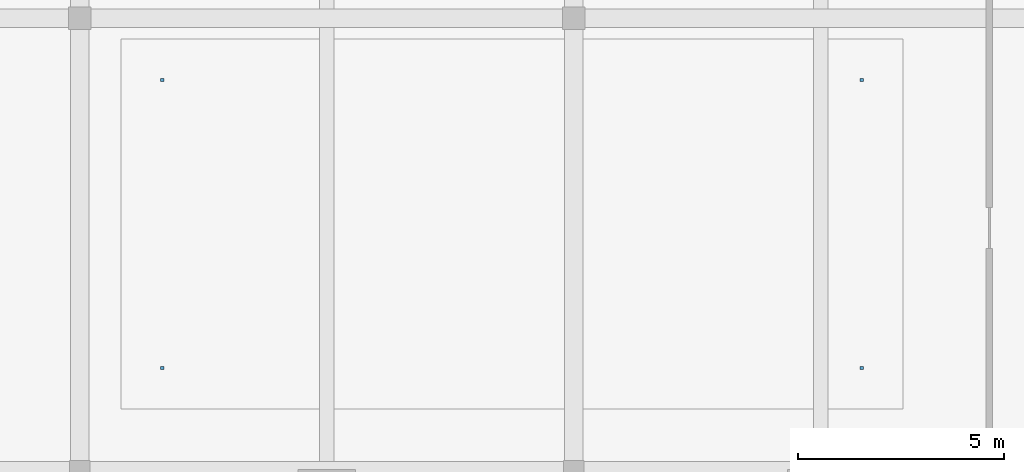
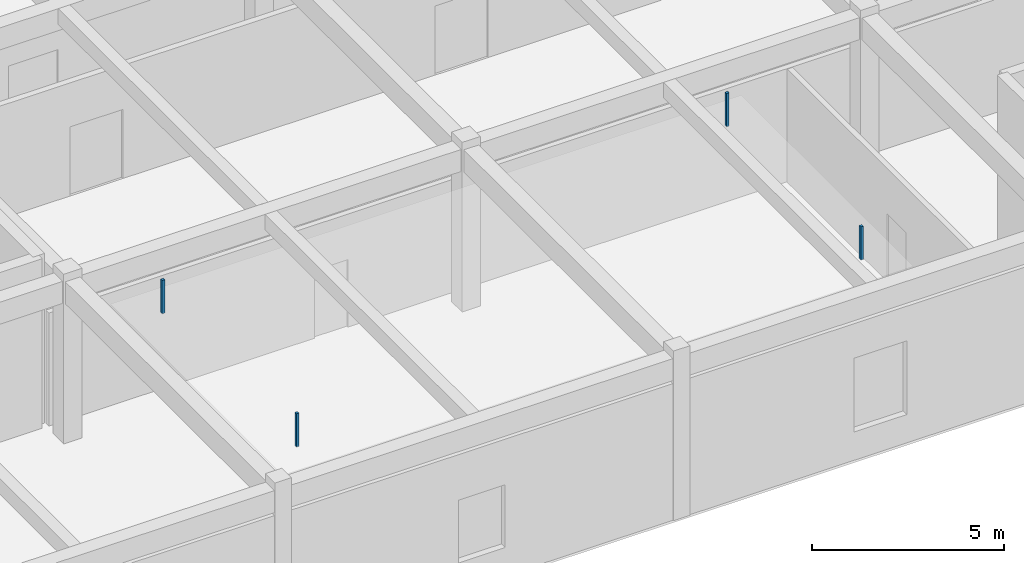
# One storey, part 89 of 97: 4 discrete accessories.
"""IFC4 building model written with IfcOpenShell, lengths in metres."""

from ifc_helpers import new_model, si_unit, derived_unit, direction, frame, origin, origin_2d, place, context, subcontext, project, spatial, rectangle, extrude, material, type_object, element, save


model = new_model("IFC4")

# Units and contexts
model_context = context("Model", 3, precision=1e-05, world=origin(), true_north=direction((0.0, 1.0)))
body_context = subcontext(model_context, "Body", "Model", "MODEL_VIEW")
ifc_project = project(units=[si_unit("LENGTHUNIT", "METRE"), si_unit("AREAUNIT", "SQUARE_METRE"), si_unit("VOLUMEUNIT", "CUBIC_METRE"), si_unit("PLANEANGLEUNIT", "RADIAN"), si_unit("MASSUNIT", "GRAM", prefix="KILO"), derived_unit("THERMALTRANSMITTANCEUNIT", [(si_unit("POWERUNIT", "WATT"), 1), (si_unit("LENGTHUNIT", "METRE"), -2), (si_unit("THERMODYNAMICTEMPERATUREUNIT", "KELVIN"), -1)])], contexts=[model_context])

# Site, building, storey
site_placement = place(None, origin())
site = spatial("IfcSite", under=ifc_project, at=site_placement, CompositionType="ELEMENT")
building_placement = place(site_placement, origin())
building = spatial("IfcBuilding", under=site, at=building_placement, Name="Almenara Railside Exhibition Hall", CompositionType="ELEMENT")
storey_placement = place(building_placement, frame((0.0, 0.0, 10.800048828125)))
storey = spatial("IfcBuildingStorey", under=building, at=storey_placement, Name="L02", CompositionType="ELEMENT", Elevation=10.800048828125)

# Discrete accessories
ifc_material = material(Name="Galvanised steel suspension bracket", Category="steel")
discrete_accessory_type = type_object("IfcDiscreteAccessoryType", Name="Ceiling Suspension Bracket Hanger", PredefinedType="BRACKET", material=ifc_material)
for number, where, z_axis, x_axis, name in (
    (1, (140.0, 2.5, 4.1298828125), (0.0, 0.0, 1.0), (1.0, 0.0, 0.0), "Ceiling suspension hanger 0021"),
    (2, (140.0, 9.5, 4.1298828125), (0.0, 0.0, 1.0), (1.0, 0.0, 0.0), "Ceiling suspension hanger 0022"),
    (3, (157.0, 2.5, 4.1298828125), (0.0, 0.0, 1.0), (1.0, 0.0, 0.0), "Ceiling suspension hanger 0023"),
    (4, (157.0, 9.5, 4.1298828125), (0.0, 0.0, 1.0), (1.0, 0.0, 0.0), "Ceiling suspension hanger 0024"),
):
    element("IfcDiscreteAccessory", number, at=place(storey_placement, frame(where, z_axis=z_axis, x_axis=x_axis)), inside=storey, type_object=discrete_accessory_type, Name=name, PredefinedType="BRACKET", context=body_context, shape_type="SweptSolid", body=[
        extrude(rectangle(XDim=0.080078125, YDim=0.080078125, at=origin_2d()), origin(), (0.0, 0.0, 1.0), 1.06005859375),
    ])

save(model, "model.ifc")
